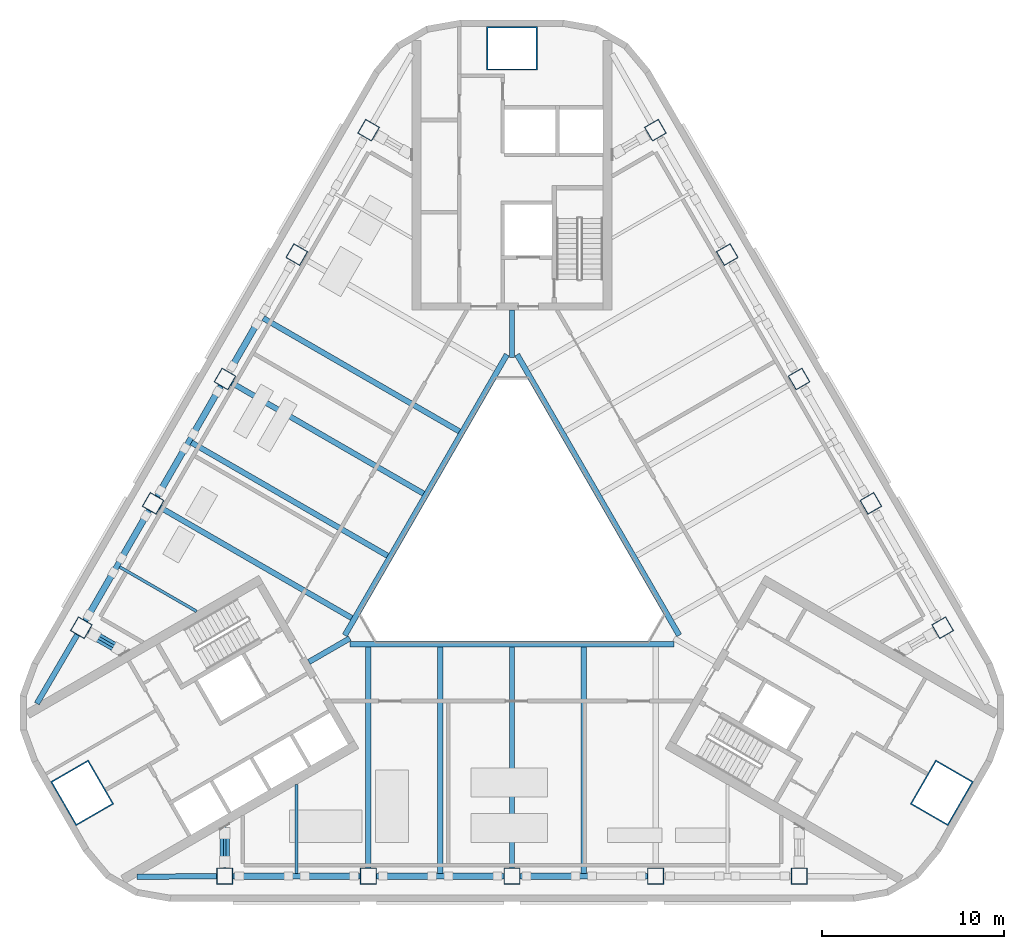
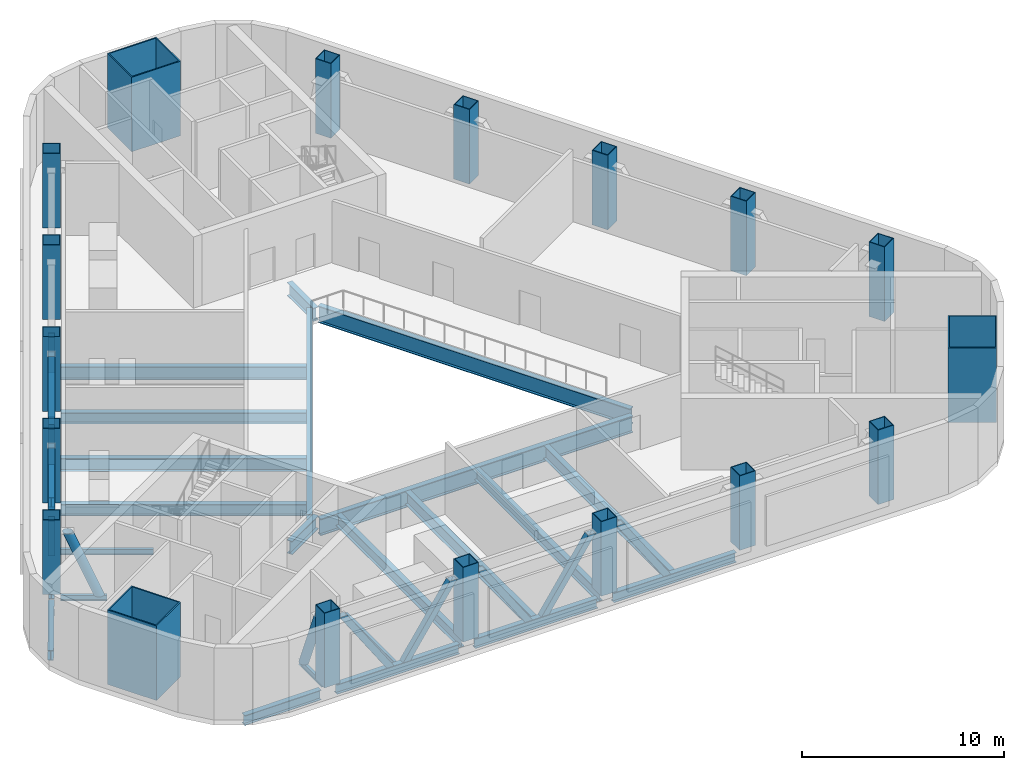
# One storey, part 1 of 14: 24 beams, 18 columns, 12 members.
"""IFC4 building model written with IfcOpenShell, lengths in metres."""

from ifc_helpers import new_model, si_unit, direction, frame, origin, origin_2d, place, context, subcontext, project, spatial, rectangle, hollow_rectangle, hollow_circle, i_section, extrude, boolean, halfspace, material, material_profile, profile_set, type_object, element, save


model = new_model("IFC4")

# Units and contexts
model_context = context("Model", 3, precision=1e-05, world=origin(), true_north=direction((0.0, 1.0)))
body_context = subcontext(model_context, "Body", "Model", "MODEL_VIEW")
ifc_project = project(units=[si_unit("LENGTHUNIT", "METRE"), si_unit("AREAUNIT", "SQUARE_METRE"), si_unit("VOLUMEUNIT", "CUBIC_METRE"), si_unit("PLANEANGLEUNIT", "RADIAN"), si_unit("MASSUNIT", "GRAM", prefix="KILO")], contexts=[model_context])

# Site, building, storey
site_placement = place(None, origin())
site = spatial("IfcSite", under=ifc_project, at=site_placement, CompositionType="ELEMENT")
building_placement = place(site_placement, origin())
building = spatial("IfcBuilding", under=site, at=building_placement, Name="Apuvela Tower Hotel", CompositionType="ELEMENT")
storey_placement = place(building_placement, frame((0.0, 0.0, 142.10009765625)))
storey = spatial("IfcBuildingStorey", under=building, at=storey_placement, Name="L33 Plant", CompositionType="ELEMENT", Elevation=142.10009765625)

# Columns
ifc_material_1 = material(Name="Steel S460", Category="steel")
ifc_material_profile_1 = material_profile(ifc_material_1, hollow_rectangle(XDim=2.800048828125, YDim=2.39990234375, WallThickness=0.070068359375, at=origin_2d()), Name="BOX 2800x2400x70")
ifc_material_2 = material(Name="Concrete C80/95", Category="concrete")
ifc_material_profile_2 = material_profile(ifc_material_2, rectangle(XDim=2.659912109375, YDim=2.260009765625, at=origin_2d()), Name="Concrete C80/95 infill")
ifc_profile_set_1 = profile_set([ifc_material_profile_1, ifc_material_profile_2], Name="Steel S460")
column_type_1 = type_object("IfcColumnType", Name="STR-MC mega column BOX 2800x2400x70", PredefinedType="COLUMN", material=ifc_profile_set_1)
for number, where, z_axis, x_axis, name in (
    (1, (0.0, 27.300048828125, 0.0), (0.0, 0.0, 1.0), (1.0, 0.0, 0.0), "Mega column MC2 N"),
    (2, (-23.642578125, -13.64990234375, 0.0), (0.0, 0.0, 1.0), (-0.5, 0.866025403784, 0.0), "Mega column MC2 SW"),
    (3, (23.642578125, -13.64990234375, 0.0), (0.0, 0.0, 1.0), (0.5, 0.866025403784, 0.0), "Mega column MC2 SE"),
):
    element("IfcColumn", number, at=place(storey_placement, frame(where, z_axis=z_axis, x_axis=x_axis)), inside=storey, type_object=column_type_1, Name=name, PredefinedType="COLUMN", context=body_context, shape_type="SweptSolid", body=[
        extrude(hollow_rectangle(XDim=2.800048828125, YDim=2.39990234375, WallThickness=0.070068359375, at=origin_2d()), origin(), (0.0, 0.0, 1.0), 4.5),
    ])
ifc_material_profile_3 = material_profile(ifc_material_1, hollow_rectangle(XDim=0.89990234375, YDim=0.89990234375, WallThickness=0.0400390625, at=origin_2d()), Name="BOX 900x900x40")
ifc_material_profile_4 = material_profile(ifc_material_2, rectangle(XDim=0.820068359375, YDim=0.820068359375, at=origin_2d()), Name="Concrete C80/95 infill")
ifc_profile_set_2 = profile_set([ifc_material_profile_3, ifc_material_profile_4], Name="Steel S460")
column_type_2 = type_object("IfcColumnType", Name="STR-PC perimeter column BOX 900x900x40", PredefinedType="COLUMN", material=ifc_profile_set_2)
for number, where, z_axis, x_axis, name in (
    (4, (-15.800048828125, -18.22998046875, 0.0), (0.0, 0.0, 1.0), (-1.0, 0.0, 0.0), "Perimeter column C3 S1"),
    (5, (-7.89990234375, -18.22998046875, 0.0), (0.0, 0.0, 1.0), (-1.0, 0.0, 0.0), "Perimeter column C3 S2"),
    (6, (0.0, -18.22998046875, 0.0), (0.0, 0.0, 1.0), (-1.0, 0.0, 0.0), "Perimeter column C3 S3"),
    (7, (7.89990234375, -18.22998046875, 0.0), (0.0, 0.0, 1.0), (-1.0, 0.0, 0.0), "Perimeter column C3 S4"),
    (8, (15.800048828125, -18.22998046875, 0.0), (0.0, 0.0, 1.0), (-1.0, 0.0, 0.0), "Perimeter column C3 S5"),
    (9, (23.6875, -4.568115234375, 0.0), (0.0, 0.0, 1.0), (-0.5, 0.866025403784, 0.0), "Perimeter column C3 NE1"),
    (10, (19.737548828125, 2.2734375, 0.0), (0.0, 0.0, 1.0), (-0.5, 0.866025403784, 0.0), "Perimeter column C3 NE2"),
    (11, (15.78759765625, 9.114990234375, 0.0), (0.0, 0.0, 1.0), (-0.5, 0.866025403784, 0.0), "Perimeter column C3 NE3"),
    (12, (11.837646484375, 15.95654296875, 0.0), (0.0, 0.0, 1.0), (-0.5, 0.866025403784, 0.0), "Perimeter column C3 NE4"),
    (13, (7.8876953125, 22.798095703125, 0.0), (0.0, 0.0, 1.0), (-0.5, 0.866025403784, 0.0), "Perimeter column C3 NE5"),
    (14, (-7.8876953125, 22.798095703125, 0.0), (0.0, 0.0, 1.0), (0.5, 0.866025403784, 0.0), "Perimeter column C3 NW1"),
    (15, (-11.837646484375, 15.95654296875, 0.0), (0.0, 0.0, 1.0), (0.5, 0.866025403784, 0.0), "Perimeter column C3 NW2"),
    (16, (-15.78759765625, 9.114990234375, 0.0), (0.0, 0.0, 1.0), (0.5, 0.866025403784, 0.0), "Perimeter column C3 NW3"),
    (17, (-19.737548828125, 2.2734375, 0.0), (0.0, 0.0, 1.0), (0.5, 0.866025403784, 0.0), "Perimeter column C3 NW4"),
    (18, (-23.6875, -4.568115234375, 0.0), (0.0, 0.0, 1.0), (0.5, 0.866025403784, 0.0), "Perimeter column C3 NW5"),
):
    element("IfcColumn", number, at=place(storey_placement, frame(where, z_axis=z_axis, x_axis=x_axis)), inside=storey, type_object=column_type_2, Name=name, PredefinedType="COLUMN", context=body_context, shape_type="SweptSolid", body=[
        extrude(hollow_rectangle(XDim=0.89990234375, YDim=0.89990234375, WallThickness=0.0400390625, at=origin_2d()), origin(), (0.0, 0.0, 1.0), 4.5),
    ])

# Beams
ifc_material_3 = material(Name="Steel S355", Category="steel")
ifc_material_profile_5 = material_profile(ifc_material_3, i_section(OverallWidth=0.300048828125, OverallDepth=0.68994140625, WebThickness=0.014404296875, FlangeThickness=0.027099609375, at=origin_2d()), Name="HE 700 A")
ifc_profile_set_3 = profile_set([ifc_material_profile_5], Name="Steel S355")
beam_type_1 = type_object("IfcBeamType", Name="STR-B floor beam HE 700 A", PredefinedType="BEAM", material=ifc_profile_set_3)
for number, where, z_axis, x_axis, name in (
    (19, (-15.39794921875, 8.889892578125, -0.64501953125), (0.866028751965, -0.499994200737, 0.0), (0.499994200737, 0.866028751965, 0.0), "Floor beam B6 NW5"),
    (20, (-19.347900390625, 2.04833984375, -0.64501953125), (0.866028751965, -0.499994200737, 0.0), (0.499994200737, 0.866028751965, 0.0), "Floor beam B6 NW7"),
    (21, (-7.89990234375, -17.780029296875, -0.64501953125), (0.0, 1.0, 0.0), (-1.0, 0.0, 0.0), "Floor beam B6 S3"),
    (22, (0.0, -17.780029296875, -0.64501953125), (0.0, 1.0, 0.0), (-1.0, 0.0, 0.0), "Floor beam B6 S5"),
):
    element("IfcBeam", number, at=place(storey_placement, frame(where, z_axis=z_axis, x_axis=x_axis)), inside=storey, type_object=beam_type_1, Name=name, PredefinedType="BEAM", context=body_context, shape_type="SweptSolid", body=[
        extrude(i_section(OverallWidth=0.300048828125, OverallDepth=0.68994140625, WebThickness=0.014404296875, FlangeThickness=0.027099609375, at=origin_2d()), origin(), (0.0, 0.0, 1.0), 12.157958984375),
    ])
ifc_material_profile_6 = material_profile(ifc_material_3, i_section(OverallWidth=0.300048828125, OverallDepth=0.7900390625, WebThickness=0.014892578125, FlangeThickness=0.028076171875, at=origin_2d()), Name="HE 800 A")
ifc_profile_set_4 = profile_set([ifc_material_profile_6], Name="Steel S355")
beam_type_2 = type_object("IfcBeamType", Name="STR-B floor beam HE 800 A", PredefinedType="BEAM", material=ifc_profile_set_4)
for number, where, z_axis, x_axis, name in (
    (23, (-13.6826171875, 12.460693359375, -0.695068359375), (0.866022737053, -0.500004618886, 0.0), (0.500004618886, 0.866022737053, 0.0), "Floor beam B5 NW4"),
    (24, (-17.6328125, 5.619140625, -0.695068359375), (0.866027636335, -0.499996133089, 0.0), (0.499996133089, 0.866027636335, 0.0), "Floor beam B5 NW6"),
    (25, (-3.949951171875, -18.080078125, -0.695068359375), (0.0, 1.0, 0.0), (-1.0, 0.0, 0.0), "Floor beam B5 S4"),
    (26, (3.949951171875, -18.080078125, -0.695068359375), (0.0, 1.0, 0.0), (-1.0, 0.0, 0.0), "Floor beam B5 S6"),
):
    element("IfcBeam", number, at=place(storey_placement, frame(where, z_axis=z_axis, x_axis=x_axis)), inside=storey, type_object=beam_type_2, Name=name, PredefinedType="BEAM", context=body_context, shape_type="SweptSolid", body=[
        extrude(i_section(OverallWidth=0.300048828125, OverallDepth=0.7900390625, WebThickness=0.014892578125, FlangeThickness=0.028076171875, at=origin_2d()), origin(), (0.0, 0.0, 1.0), 12.4580078125),
    ])
ifc_material_profile_7 = material_profile(ifc_material_3, i_section(OverallWidth=0.159912109375, OverallDepth=0.330078125, WebThickness=0.007568359375, FlangeThickness=0.011474609375, at=origin_2d()), Name="IPE 330")
ifc_profile_set_5 = profile_set([ifc_material_profile_7], Name="Steel S355")
beam_type_3 = type_object("IfcBeamType", Name="STR-B floor beam IPE 330", PredefinedType="BEAM", material=ifc_profile_set_5)
beam_1_placement = place(storey_placement, frame((-21.582763671875, -1.222412109375, -0.465087890625), z_axis=(0.866015056278, -0.500017921979, 0.0), x_axis=(0.500017921979, 0.866015056278, 0.0)))
element("IfcBeam", 27, at=beam_1_placement, inside=storey, type_object=beam_type_3, Name="Floor beam B1 NW8", PredefinedType="BEAM", context=body_context, shape_type="SweptSolid", body=[
    extrude(i_section(OverallWidth=0.159912109375, OverallDepth=0.330078125, WebThickness=0.007568359375, FlangeThickness=0.011474609375, at=origin_2d()), origin(), (0.0, 0.0, 1.0), 4.887451171875),
])
beam_2_placement = place(storey_placement, frame((-23.2978515625, -4.793212890625, -0.465087890625), z_axis=(0.866000531106, -0.500043078269, 0.0), x_axis=(0.500043078269, 0.866000531106, 0.0)))
element("IfcBeam", 28, at=beam_2_placement, inside=storey, type_object=beam_type_3, Name="Floor beam B1 NW9", PredefinedType="BEAM", context=body_context, shape_type="SweptSolid", body=[
    extrude(i_section(OverallWidth=0.159912109375, OverallDepth=0.330078125, WebThickness=0.007568359375, FlangeThickness=0.011474609375, at=origin_2d()), origin(), (0.0, 0.0, 1.0), 2.306884765625),
])
beam_3_placement = place(storey_placement, frame((-15.800048828125, -17.780029296875, -0.465087890625), z_axis=(0.0, 1.0, 0.0), x_axis=(-1.0, 0.0, 0.0)))
element("IfcBeam", 29, at=beam_3_placement, inside=storey, type_object=beam_type_3, Name="Floor beam B1 S1", PredefinedType="BEAM", context=body_context, shape_type="SweptSolid", body=[
    extrude(i_section(OverallWidth=0.159912109375, OverallDepth=0.330078125, WebThickness=0.007568359375, FlangeThickness=0.011474609375, at=origin_2d()), origin(), (0.0, 0.0, 1.0), 2.30712890625),
])
beam_4_placement = place(storey_placement, frame((-11.85009765625, -18.080078125, -0.465087890625), z_axis=(0.0, 1.0, 0.0), x_axis=(-1.0, 0.0, 0.0)))
element("IfcBeam", 30, at=beam_4_placement, inside=storey, type_object=beam_type_3, Name="Floor beam B1 S2", PredefinedType="BEAM", context=body_context, shape_type="SweptSolid", body=[
    extrude(i_section(OverallWidth=0.159912109375, OverallDepth=0.330078125, WebThickness=0.007568359375, FlangeThickness=0.011474609375, at=origin_2d()), origin(), (0.0, 0.0, 1.0), 4.8876953125),
])
ifc_material_profile_8 = material_profile(ifc_material_3, i_section(OverallWidth=0.302001953125, OverallDepth=1.008056640625, WebThickness=0.02099609375, FlangeThickness=0.0400390625, at=origin_2d()), Name="HE 1000 M")
ifc_profile_set_6 = profile_set([ifc_material_profile_8], Name="Steel S355")
beam_type_4 = type_object("IfcBeamType", Name="STR-G atrium ring girder HE 1000 M", PredefinedType="BEAM", material=ifc_profile_set_6)
for number, where, z_axis, x_axis, name in (
    (31, (-0.28076171875, 10.455810546875, -0.80419921875), (-0.500000611842, -0.866025050537, 0.0), (0.866025050537, -0.500000611842, 0.0), "Atrium ring girder G1 N-SW"),
    (32, (-8.91455078125, -5.470947265625, -0.80419921875), (1.0, 0.0, 0.0), (0.0, 1.0, 0.0), "Atrium ring girder G1 SW-SE"),
    (33, (9.1953125, -4.984619140625, -0.80419921875), (-0.500000611842, 0.866025050537, 0.0), (-0.866025050537, -0.500000611842, 0.0), "Atrium ring girder G1 SE-N"),
):
    element("IfcBeam", number, at=place(storey_placement, frame(where, z_axis=z_axis, x_axis=x_axis)), inside=storey, type_object=beam_type_4, Name=name, PredefinedType="BEAM", context=body_context, shape_type="SweptSolid", body=[
        extrude(i_section(OverallWidth=0.302001953125, OverallDepth=1.008056640625, WebThickness=0.02099609375, FlangeThickness=0.0400390625, at=origin_2d()), origin(), (0.0, 0.0, 1.0), 17.8291015625),
    ])
ifc_material_profile_9 = material_profile(ifc_material_3, i_section(OverallWidth=0.300048828125, OverallDepth=0.800048828125, WebThickness=0.017578125, FlangeThickness=0.032958984375, at=origin_2d()), Name="HE 800 B")
ifc_profile_set_7 = profile_set([ifc_material_profile_9], Name="Steel S355")
beam_type_5 = type_object("IfcBeamType", Name="STR-GT core tie beam HE 800 B", PredefinedType="BEAM", material=ifc_profile_set_7)
for number, where, z_axis, x_axis, name in (
    (34, (0.0, 12.89990234375, -0.7001953125), (0.0, -1.0, 0.0), (1.0, 0.0, 0.0), "Core tie beam GT1 N"),
    (35, (-11.171630859375, -6.449951171875, -0.7001953125), (0.865997922154, 0.500047596559, 0.0), (-0.500047596559, 0.865997922154, 0.0), "Core tie beam GT1 SW"),
):
    element("IfcBeam", number, at=place(storey_placement, frame(where, z_axis=z_axis, x_axis=x_axis)), inside=storey, type_object=beam_type_5, Name=name, PredefinedType="BEAM", context=body_context, shape_type="SweptSolid", body=[
        extrude(i_section(OverallWidth=0.300048828125, OverallDepth=0.800048828125, WebThickness=0.017578125, FlangeThickness=0.032958984375, at=origin_2d()), origin(), (0.0, 0.0, 1.0), 2.599853515625),
    ])
ifc_material_profile_10 = material_profile(ifc_material_3, i_section(OverallWidth=0.300048828125, OverallDepth=0.590087890625, WebThickness=0.012939453125, FlangeThickness=0.02490234375, at=origin_2d()), Name="HE 600 A")
ifc_profile_set_8 = profile_set([ifc_material_profile_10], Name="Steel S355")
beam_type_6 = type_object("IfcBeamType", Name="STR-SB spandrel beam HE 600 A", PredefinedType="SPANDREL", material=ifc_profile_set_8)
for number, where, z_axis, x_axis, name in (
    (36, (-15.35009765625, -18.22998046875, -0.59521484375), (1.0, 0.0, 0.0), (0.0, 1.0, 0.0), "Spandrel beam SB2 S1"),
    (37, (-7.449951171875, -18.22998046875, -0.59521484375), (1.0, 0.0, 0.0), (0.0, 1.0, 0.0), "Spandrel beam SB2 S2"),
    (38, (0.449951171875, -18.22998046875, -0.59521484375), (1.0, 0.0, 0.0), (0.0, 1.0, 0.0), "Spandrel beam SB2 S3"),
    (39, (-16.0126953125, 8.725341796875, -0.59521484375), (-0.499995173006, -0.866028190633, 0.0), (0.866028190633, -0.499995173006, 0.0), "Spandrel beam SB2 NW3"),
    (40, (-19.962646484375, 1.8837890625, -0.59521484375), (-0.499995173006, -0.866028190633, 0.0), (0.866028190633, -0.499995173006, 0.0), "Spandrel beam SB2 NW4"),
):
    element("IfcBeam", number, at=place(storey_placement, frame(where, z_axis=z_axis, x_axis=x_axis)), inside=storey, type_object=beam_type_6, Name=name, PredefinedType="SPANDREL", context=body_context, shape_type="SweptSolid", body=[
        extrude(i_section(OverallWidth=0.300048828125, OverallDepth=0.590087890625, WebThickness=0.012939453125, FlangeThickness=0.02490234375, at=origin_2d()), origin(), (0.0, 0.0, 1.0), 7.0),
    ])
for number, where, z_axis, x_axis, name in (
    (41, (-16.25, -18.233154296875, -0.59521484375), (-0.999976528586, -0.006851443461, 0.0), (0.006851443461, -0.999976528586, 0.0), "Spandrel beam SB2 S1-SW"),
    (42, (-23.915283203125, -4.956298828125, -0.59521484375), (-0.505951068275, -0.862562181244, 0.0), (0.862562181244, -0.505951068275, 0.0), "Spandrel beam SB2 NW5-SW"),
):
    element("IfcBeam", number, at=place(storey_placement, frame(where, z_axis=z_axis, x_axis=x_axis)), inside=storey, type_object=beam_type_6, Name=name, PredefinedType="SPANDREL", context=body_context, shape_type="SweptSolid", body=[
        extrude(i_section(OverallWidth=0.300048828125, OverallDepth=0.590087890625, WebThickness=0.012939453125, FlangeThickness=0.02490234375, at=origin_2d()), origin(), (0.0, 0.0, 1.0), 4.3828125),
    ])

# Members
ifc_material_profile_11 = material_profile(ifc_material_3, hollow_rectangle(XDim=0.35009765625, YDim=0.35009765625, WallThickness=0.01611328125, at=origin_2d()), Name="SHS 350x350x16")
ifc_profile_set_9 = profile_set([ifc_material_profile_11], Name="Steel S355")
member_type_1 = type_object("IfcMemberType", Name="STR-T1 belt truss diagonal SHS 350x350x16", PredefinedType="BRACE", material=ifc_profile_set_9)
member_1_placement = place(storey_placement, frame((-12.300048828125, -18.22998046875, -0.300048828125), z_axis=(-0.556591917013, 0.0, 0.830786036182), x_axis=(0.830786036182, 0.0, 0.556591917013)))
solid_1 = boolean("DIFFERENCE", boolean("DIFFERENCE", extrude(hollow_rectangle(XDim=0.35009765625, YDim=0.35009765625, WallThickness=0.01611328125, at=origin_2d()), frame((0.0, 0.0, -0.2373046875)), (0.0, 0.0, 1.0), 5.3251953125), halfspace(frame((0.0, 0.0, 0.02392578125), z_axis=(0.556591917013, 0.0, 0.830786036182), x_axis=(0.830786036182, 0.0, -0.556591917013)), True)), halfspace(frame((0.0, 0.0, 4.82666015625), z_axis=(0.556591917013, 0.0, 0.830786036182), x_axis=(0.830786036182, 0.0, -0.556591917013)), False))
element("IfcMember", 43, at=member_1_placement, inside=storey, type_object=member_type_1, Name="Belt truss diagonal BR2 S1", PredefinedType="BRACE", context=body_context, shape_type="SweptSolid", body=[
    boolean("UNION", boolean("DIFFERENCE", boolean("DIFFERENCE", extrude(hollow_rectangle(XDim=0.35009765625, YDim=0.35009765625, WallThickness=0.01611328125, at=origin_2d()), origin(), (0.0, 0.0, 1.0), 4.850830078125), halfspace(frame((0.0, 0.0, 0.02392578125), z_axis=(0.556591917013, 0.0, 0.830786036182), x_axis=(0.830786036182, 0.0, -0.556591917013)), True)), halfspace(frame((0.0, 0.0, 4.82666015625), z_axis=(0.556591917013, 0.0, 0.830786036182), x_axis=(0.830786036182, 0.0, -0.556591917013)), False)), solid_1),
])
member_2_placement = place(storey_placement, frame((-11.39990234375, -18.22998046875, -0.300048828125), z_axis=(0.556591917013, 0.0, 0.830786036182), x_axis=(-0.830786036182, 0.0, 0.556591917013)))
solid_2 = boolean("DIFFERENCE", boolean("DIFFERENCE", extrude(hollow_rectangle(XDim=0.35009765625, YDim=0.35009765625, WallThickness=0.01611328125, at=origin_2d()), frame((0.0, 0.0, -0.2373046875)), (0.0, 0.0, 1.0), 5.3251953125), halfspace(frame((0.0, 0.0, 0.02392578125), z_axis=(0.556591917013, 0.0, 0.830786036182), x_axis=(0.830786036182, 0.0, -0.556591917013)), True)), halfspace(frame((0.0, 0.0, 4.82666015625), z_axis=(0.556591917013, 0.0, 0.830786036182), x_axis=(0.830786036182, 0.0, -0.556591917013)), False))
element("IfcMember", 44, at=member_2_placement, inside=storey, type_object=member_type_1, Name="Belt truss diagonal BR2 S1", PredefinedType="BRACE", context=body_context, shape_type="SweptSolid", body=[
    boolean("UNION", boolean("DIFFERENCE", boolean("DIFFERENCE", extrude(hollow_rectangle(XDim=0.35009765625, YDim=0.35009765625, WallThickness=0.01611328125, at=origin_2d()), origin(), (0.0, 0.0, 1.0), 4.850830078125), halfspace(frame((0.0, 0.0, 0.02392578125), z_axis=(0.556591917013, 0.0, 0.830786036182), x_axis=(0.830786036182, 0.0, -0.556591917013)), True)), halfspace(frame((0.0, 0.0, 4.82666015625), z_axis=(0.556591917013, 0.0, 0.830786036182), x_axis=(0.830786036182, 0.0, -0.556591917013)), False)), solid_2),
])
member_3_placement = place(storey_placement, frame((-4.39990234375, -18.22998046875, -0.300048828125), z_axis=(-0.556626653122, 0.0, 0.830762763389), x_axis=(0.830762763389, 0.0, 0.556626653122)))
solid_3 = boolean("DIFFERENCE", boolean("DIFFERENCE", extrude(hollow_rectangle(XDim=0.35009765625, YDim=0.35009765625, WallThickness=0.01611328125, at=origin_2d()), frame((0.0, 0.0, -0.2373046875)), (0.0, 0.0, 1.0), 5.325439453125), halfspace(frame((0.0, 0.0, 0.02392578125), z_axis=(0.556626653122, 0.0, 0.830762763389), x_axis=(0.830762763389, 0.0, -0.556626653122)), True)), halfspace(frame((0.0, 0.0, 4.826904296875), z_axis=(0.556626653122, 0.0, 0.830762763389), x_axis=(0.830762763389, 0.0, -0.556626653122)), False))
element("IfcMember", 45, at=member_3_placement, inside=storey, type_object=member_type_1, Name="Belt truss diagonal BR2 S2", PredefinedType="BRACE", context=body_context, shape_type="SweptSolid", body=[
    boolean("UNION", boolean("DIFFERENCE", boolean("DIFFERENCE", extrude(hollow_rectangle(XDim=0.35009765625, YDim=0.35009765625, WallThickness=0.01611328125, at=origin_2d()), origin(), (0.0, 0.0, 1.0), 4.85107421875), halfspace(frame((0.0, 0.0, 0.02392578125), z_axis=(0.556626653122, 0.0, 0.830762763389), x_axis=(0.830762763389, 0.0, -0.556626653122)), True)), halfspace(frame((0.0, 0.0, 4.826904296875), z_axis=(0.556626653122, 0.0, 0.830762763389), x_axis=(0.830762763389, 0.0, -0.556626653122)), False)), solid_3),
])
member_4_placement = place(storey_placement, frame((-3.5, -18.22998046875, -0.300048828125), z_axis=(0.556591917013, 0.0, 0.830786036182), x_axis=(-0.830786036182, 0.0, 0.556591917013)))
solid_4 = boolean("DIFFERENCE", boolean("DIFFERENCE", extrude(hollow_rectangle(XDim=0.35009765625, YDim=0.35009765625, WallThickness=0.01611328125, at=origin_2d()), frame((0.0, 0.0, -0.2373046875)), (0.0, 0.0, 1.0), 5.3251953125), halfspace(frame((0.0, 0.0, 0.02392578125), z_axis=(0.556591917013, 0.0, 0.830786036182), x_axis=(0.830786036182, 0.0, -0.556591917013)), True)), halfspace(frame((0.0, 0.0, 4.82666015625), z_axis=(0.556591917013, 0.0, 0.830786036182), x_axis=(0.830786036182, 0.0, -0.556591917013)), False))
element("IfcMember", 46, at=member_4_placement, inside=storey, type_object=member_type_1, Name="Belt truss diagonal BR2 S2", PredefinedType="BRACE", context=body_context, shape_type="SweptSolid", body=[
    boolean("UNION", boolean("DIFFERENCE", boolean("DIFFERENCE", extrude(hollow_rectangle(XDim=0.35009765625, YDim=0.35009765625, WallThickness=0.01611328125, at=origin_2d()), origin(), (0.0, 0.0, 1.0), 4.850830078125), halfspace(frame((0.0, 0.0, 0.02392578125), z_axis=(0.556591917013, 0.0, 0.830786036182), x_axis=(0.830786036182, 0.0, -0.556591917013)), True)), halfspace(frame((0.0, 0.0, 4.82666015625), z_axis=(0.556591917013, 0.0, 0.830786036182), x_axis=(0.830786036182, 0.0, -0.556591917013)), False)), solid_4),
])
member_5_placement = place(storey_placement, frame((3.5, -18.22998046875, -0.300048828125), z_axis=(-0.556591917013, 0.0, 0.830786036182), x_axis=(0.830786036182, 0.0, 0.556591917013)))
solid_5 = boolean("DIFFERENCE", boolean("DIFFERENCE", extrude(hollow_rectangle(XDim=0.35009765625, YDim=0.35009765625, WallThickness=0.01611328125, at=origin_2d()), frame((0.0, 0.0, -0.2373046875)), (0.0, 0.0, 1.0), 5.3251953125), halfspace(frame((0.0, 0.0, 0.02392578125), z_axis=(0.556591917013, 0.0, 0.830786036182), x_axis=(0.830786036182, 0.0, -0.556591917013)), True)), halfspace(frame((0.0, 0.0, 4.82666015625), z_axis=(0.556591917013, 0.0, 0.830786036182), x_axis=(0.830786036182, 0.0, -0.556591917013)), False))
element("IfcMember", 47, at=member_5_placement, inside=storey, type_object=member_type_1, Name="Belt truss diagonal BR2 S3", PredefinedType="BRACE", context=body_context, shape_type="SweptSolid", body=[
    boolean("UNION", boolean("DIFFERENCE", boolean("DIFFERENCE", extrude(hollow_rectangle(XDim=0.35009765625, YDim=0.35009765625, WallThickness=0.01611328125, at=origin_2d()), origin(), (0.0, 0.0, 1.0), 4.850830078125), halfspace(frame((0.0, 0.0, 0.02392578125), z_axis=(0.556591917013, 0.0, 0.830786036182), x_axis=(0.830786036182, 0.0, -0.556591917013)), True)), halfspace(frame((0.0, 0.0, 4.82666015625), z_axis=(0.556591917013, 0.0, 0.830786036182), x_axis=(0.830786036182, 0.0, -0.556591917013)), False)), solid_5),
])
member_6_placement = place(storey_placement, frame((-14.03759765625, 12.14599609375, -0.300048828125), z_axis=(-0.278321705496, -0.482004877673, 0.830787774434), x_axis=(0.415434254601, 0.719460010183, 0.556589322437)))
solid_6 = boolean("DIFFERENCE", boolean("DIFFERENCE", extrude(hollow_rectangle(XDim=0.35009765625, YDim=0.35009765625, WallThickness=0.01611328125, at=origin_2d()), frame((0.0, 0.0, -0.2373046875)), (0.0, 0.0, 1.0), 5.3251953125), halfspace(frame((0.0, 0.0, 0.02392578125), z_axis=(0.556589322437, 0.0, 0.830787774434), x_axis=(0.830787774434, 0.0, -0.556589322437)), True)), halfspace(frame((0.0, 0.0, 4.82666015625), z_axis=(0.556589322437, 0.0, 0.830787774434), x_axis=(0.830787774434, 0.0, -0.556589322437)), False))
element("IfcMember", 48, at=member_6_placement, inside=storey, type_object=member_type_1, Name="Belt truss diagonal BR2 NW2", PredefinedType="BRACE", context=body_context, shape_type="SweptSolid", body=[
    boolean("UNION", boolean("DIFFERENCE", boolean("DIFFERENCE", extrude(hollow_rectangle(XDim=0.35009765625, YDim=0.35009765625, WallThickness=0.01611328125, at=origin_2d()), origin(), (0.0, 0.0, 1.0), 4.850830078125), halfspace(frame((0.0, 0.0, 0.02392578125), z_axis=(0.556589322437, 0.0, 0.830787774434), x_axis=(0.830787774434, 0.0, -0.556589322437)), True)), halfspace(frame((0.0, 0.0, 4.82666015625), z_axis=(0.556589322437, 0.0, 0.830787774434), x_axis=(0.830787774434, 0.0, -0.556589322437)), False)), solid_6),
])
member_7_placement = place(storey_placement, frame((-17.53759765625, 6.083984375, -0.300048828125), z_axis=(0.278321705496, 0.482004877673, 0.830787774434), x_axis=(-0.415434254601, -0.719460010183, 0.556589322437)))
solid_7 = boolean("DIFFERENCE", boolean("DIFFERENCE", extrude(hollow_rectangle(XDim=0.35009765625, YDim=0.35009765625, WallThickness=0.01611328125, at=origin_2d()), frame((0.0, 0.0, -0.2373046875)), (0.0, 0.0, 1.0), 5.3251953125), halfspace(frame((0.0, 0.0, 0.02392578125), z_axis=(0.556589322437, 0.0, 0.830787774434), x_axis=(0.830787774434, 0.0, -0.556589322437)), True)), halfspace(frame((0.0, 0.0, 4.82666015625), z_axis=(0.556589322437, 0.0, 0.830787774434), x_axis=(0.830787774434, 0.0, -0.556589322437)), False))
element("IfcMember", 49, at=member_7_placement, inside=storey, type_object=member_type_1, Name="Belt truss diagonal BR2 NW3", PredefinedType="BRACE", context=body_context, shape_type="SweptSolid", body=[
    boolean("UNION", boolean("DIFFERENCE", boolean("DIFFERENCE", extrude(hollow_rectangle(XDim=0.35009765625, YDim=0.35009765625, WallThickness=0.01611328125, at=origin_2d()), origin(), (0.0, 0.0, 1.0), 4.850830078125), halfspace(frame((0.0, 0.0, 0.02392578125), z_axis=(0.556589322437, 0.0, 0.830787774434), x_axis=(0.830787774434, 0.0, -0.556589322437)), True)), halfspace(frame((0.0, 0.0, 4.82666015625), z_axis=(0.556589322437, 0.0, 0.830787774434), x_axis=(0.830787774434, 0.0, -0.556589322437)), False)), solid_7),
])
member_8_placement = place(storey_placement, frame((-17.987548828125, 5.304443359375, -0.300048828125), z_axis=(-0.278321705496, -0.482004877673, 0.830787774434), x_axis=(0.415434254601, 0.719460010183, 0.556589322437)))
solid_8 = boolean("DIFFERENCE", boolean("DIFFERENCE", extrude(hollow_rectangle(XDim=0.35009765625, YDim=0.35009765625, WallThickness=0.01611328125, at=origin_2d()), frame((0.0, 0.0, -0.2373046875)), (0.0, 0.0, 1.0), 5.3251953125), halfspace(frame((0.0, 0.0, 0.02392578125), z_axis=(0.556589322437, 0.0, 0.830787774434), x_axis=(0.830787774434, 0.0, -0.556589322437)), True)), halfspace(frame((0.0, 0.0, 4.82666015625), z_axis=(0.556589322437, 0.0, 0.830787774434), x_axis=(0.830787774434, 0.0, -0.556589322437)), False))
element("IfcMember", 50, at=member_8_placement, inside=storey, type_object=member_type_1, Name="Belt truss diagonal BR2 NW3", PredefinedType="BRACE", context=body_context, shape_type="SweptSolid", body=[
    boolean("UNION", boolean("DIFFERENCE", boolean("DIFFERENCE", extrude(hollow_rectangle(XDim=0.35009765625, YDim=0.35009765625, WallThickness=0.01611328125, at=origin_2d()), origin(), (0.0, 0.0, 1.0), 4.850830078125), halfspace(frame((0.0, 0.0, 0.02392578125), z_axis=(0.556589322437, 0.0, 0.830787774434), x_axis=(0.830787774434, 0.0, -0.556589322437)), True)), halfspace(frame((0.0, 0.0, 4.82666015625), z_axis=(0.556589322437, 0.0, 0.830787774434), x_axis=(0.830787774434, 0.0, -0.556589322437)), False)), solid_8),
])
member_9_placement = place(storey_placement, frame((-21.487548828125, -0.7578125, -0.300048828125), z_axis=(0.278268522781, 0.482050264279, 0.830779255842), x_axis=(-0.415341124785, -0.719503941615, 0.556602037422)))
solid_9 = boolean("DIFFERENCE", boolean("DIFFERENCE", extrude(hollow_rectangle(XDim=0.35009765625, YDim=0.35009765625, WallThickness=0.01611328125, at=origin_2d()), frame((0.0, 0.0, -0.2373046875)), (0.0, 0.0, 1.0), 5.3251953125), halfspace(frame((0.0, 0.0, 0.02392578125), z_axis=(0.556602037422, 0.0, 0.830779255842), x_axis=(0.830779255842, 0.0, -0.556602037422)), True)), halfspace(frame((0.0, 0.0, 4.82666015625), z_axis=(0.556602037422, 0.0, 0.830779255842), x_axis=(0.830779255842, 0.0, -0.556602037422)), False))
element("IfcMember", 51, at=member_9_placement, inside=storey, type_object=member_type_1, Name="Belt truss diagonal BR2 NW4", PredefinedType="BRACE", context=body_context, shape_type="SweptSolid", body=[
    boolean("UNION", boolean("DIFFERENCE", boolean("DIFFERENCE", extrude(hollow_rectangle(XDim=0.35009765625, YDim=0.35009765625, WallThickness=0.01611328125, at=origin_2d()), origin(), (0.0, 0.0, 1.0), 4.850830078125), halfspace(frame((0.0, 0.0, 0.02392578125), z_axis=(0.556602037422, 0.0, 0.830779255842), x_axis=(0.830779255842, 0.0, -0.556602037422)), True)), halfspace(frame((0.0, 0.0, 4.82666015625), z_axis=(0.556602037422, 0.0, 0.830779255842), x_axis=(0.830779255842, 0.0, -0.556602037422)), False)), solid_9),
])
member_10_placement = place(storey_placement, frame((-21.9375, -1.537109375, -0.300048828125), z_axis=(-0.278314953575, -0.48204351272, 0.830767620012), x_axis=(0.415391647684, 0.71946133843, 0.556619404566)))
solid_10 = boolean("DIFFERENCE", boolean("DIFFERENCE", extrude(hollow_rectangle(XDim=0.35009765625, YDim=0.35009765625, WallThickness=0.01611328125, at=origin_2d()), frame((0.0, 0.0, -0.2373046875)), (0.0, 0.0, 1.0), 5.325439453125), halfspace(frame((0.0, 0.0, 0.02392578125), z_axis=(0.556619404566, 0.0, 0.830767620012), x_axis=(0.830767620012, 0.0, -0.556619404566)), True)), halfspace(frame((0.0, 0.0, 4.826904296875), z_axis=(0.556619404566, 0.0, 0.830767620012), x_axis=(0.830767620012, 0.0, -0.556619404566)), False))
element("IfcMember", 52, at=member_10_placement, inside=storey, type_object=member_type_1, Name="Belt truss diagonal BR2 NW4", PredefinedType="BRACE", context=body_context, shape_type="SweptSolid", body=[
    boolean("UNION", boolean("DIFFERENCE", boolean("DIFFERENCE", extrude(hollow_rectangle(XDim=0.35009765625, YDim=0.35009765625, WallThickness=0.01611328125, at=origin_2d()), origin(), (0.0, 0.0, 1.0), 4.85107421875), halfspace(frame((0.0, 0.0, 0.02392578125), z_axis=(0.556619404566, 0.0, 0.830767620012), x_axis=(0.830767620012, 0.0, -0.556619404566)), True)), halfspace(frame((0.0, 0.0, 4.826904296875), z_axis=(0.556619404566, 0.0, 0.830767620012), x_axis=(0.830767620012, 0.0, -0.556619404566)), False)), solid_10),
])
ifc_material_profile_12 = material_profile(ifc_material_3, hollow_circle(Radius=0.25390625, WallThickness=0.02001953125, at=origin_2d()), Name="CHS 508x20")
ifc_profile_set_10 = profile_set([ifc_material_profile_12], Name="Steel S355")
member_type_2 = type_object("IfcMemberType", Name="STR-T1 outrigger truss diagonal CHS 508x20", PredefinedType="BRACE", material=ifc_profile_set_10)
member_11_placement = place(storey_placement, frame((-21.64306640625, -5.74853515625, -0.300048828125), z_axis=(-0.326418382497, 0.188411260694, 0.926257111396), x_axis=(0.802211647734, -0.463042879927, 0.376892244001)))
solid_11 = boolean("DIFFERENCE", boolean("DIFFERENCE", extrude(hollow_circle(Radius=0.25390625, WallThickness=0.02001953125, at=origin_2d()), frame((0.0, 0.0, -0.223388671875)), (0.0, 0.0, 1.0), 4.587890625), halfspace(frame((0.0, 0.0, 0.021484375), z_axis=(0.376892244001, 0.0, 0.926257111396), x_axis=(0.926257111396, 0.0, -0.376892244001)), True)), halfspace(frame((0.0, 0.0, 4.119873046875), z_axis=(0.376892244001, 0.0, 0.926257111396), x_axis=(0.926257111396, 0.0, -0.376892244001)), False))
element("IfcMember", 53, at=member_11_placement, inside=storey, type_object=member_type_2, Name="Outrigger diagonal OD2 NW5", PredefinedType="BRACE", context=body_context, shape_type="SweptSolid", body=[
    boolean("UNION", boolean("DIFFERENCE", boolean("DIFFERENCE", extrude(hollow_circle(Radius=0.25390625, WallThickness=0.02001953125, at=origin_2d()), origin(), (0.0, 0.0, 1.0), 4.141357421875), halfspace(frame((0.0, 0.0, 0.021484375), z_axis=(0.376892244001, 0.0, 0.926257111396), x_axis=(0.926257111396, 0.0, -0.376892244001)), True)), halfspace(frame((0.0, 0.0, 4.119873046875), z_axis=(0.376892244001, 0.0, 0.926257111396), x_axis=(0.926257111396, 0.0, -0.376892244001)), False)), solid_11),
])
member_12_placement = place(storey_placement, frame((-15.800048828125, -15.869140625, -0.300048828125), z_axis=(0.0, -0.376883003453, 0.926260871304), x_axis=(0.0, 0.926260871304, 0.376883003453)))
solid_12 = boolean("DIFFERENCE", boolean("DIFFERENCE", extrude(hollow_circle(Radius=0.25390625, WallThickness=0.02001953125, at=origin_2d()), frame((0.0, 0.0, -0.223388671875)), (0.0, 0.0, 1.0), 4.587890625), halfspace(frame((0.0, 0.0, 0.021484375), z_axis=(0.376883003453, 0.0, 0.926260871304), x_axis=(0.926260871304, 0.0, -0.376883003453)), True)), halfspace(frame((0.0, 0.0, 4.11962890625), z_axis=(0.376883003453, 0.0, 0.926260871304), x_axis=(0.926260871304, 0.0, -0.376883003453)), False))
element("IfcMember", 54, at=member_12_placement, inside=storey, type_object=member_type_2, Name="Outrigger diagonal OD2 S1", PredefinedType="BRACE", context=body_context, shape_type="SweptSolid", body=[
    boolean("UNION", boolean("DIFFERENCE", boolean("DIFFERENCE", extrude(hollow_circle(Radius=0.25390625, WallThickness=0.02001953125, at=origin_2d()), origin(), (0.0, 0.0, 1.0), 4.141357421875), halfspace(frame((0.0, 0.0, 0.021484375), z_axis=(0.376883003453, 0.0, 0.926260871304), x_axis=(0.926260871304, 0.0, -0.376883003453)), True)), halfspace(frame((0.0, 0.0, 4.11962890625), z_axis=(0.376883003453, 0.0, 0.926260871304), x_axis=(0.926260871304, 0.0, -0.376883003453)), False)), solid_12),
])

save(model, "model.ifc")
